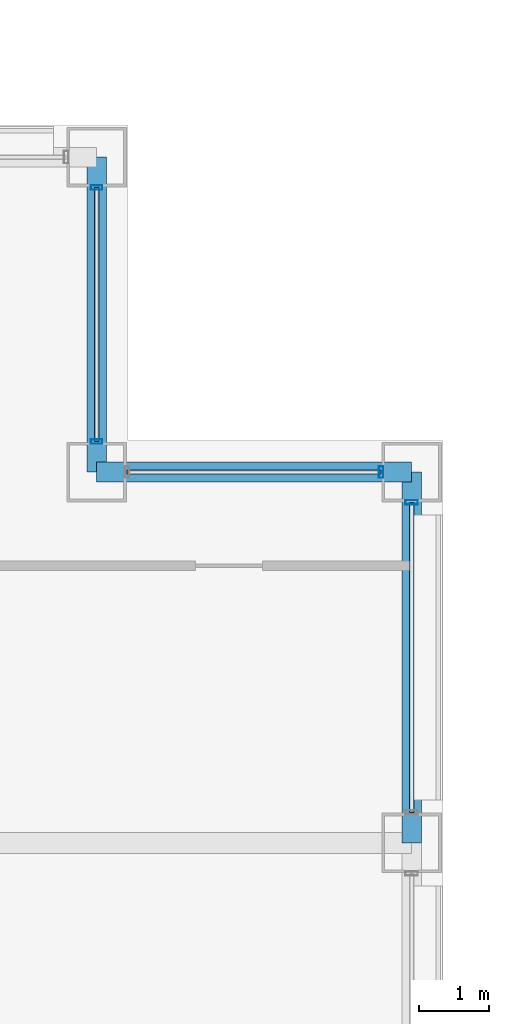
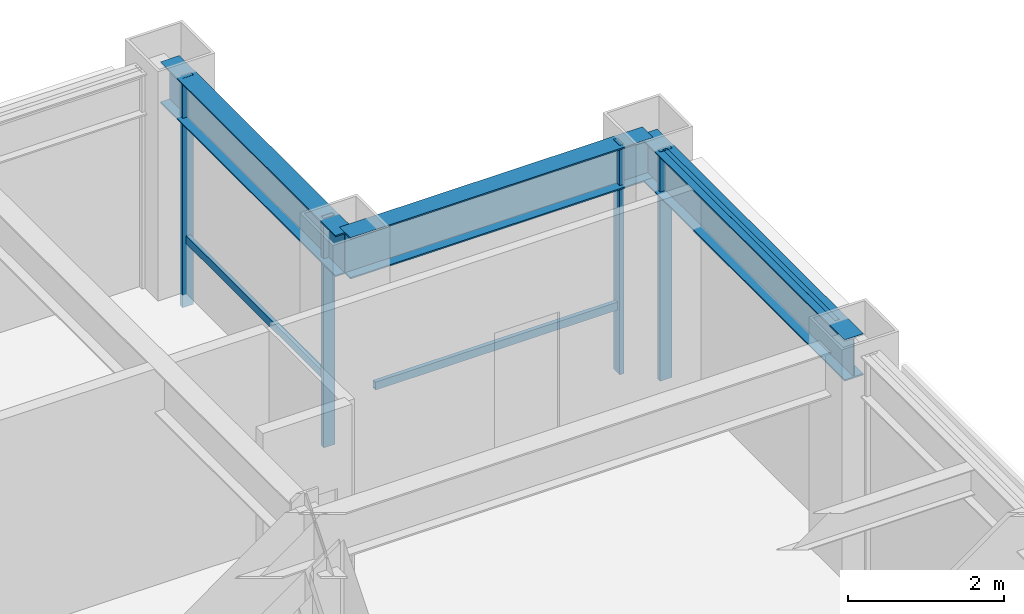
# One storey, part 27 of 34: 7 members, 3 beams, 3 elements without a shape of their own.
"""IFC4 building model written with IfcOpenShell, lengths in metres."""

from ifc_helpers import new_model, si_unit, direction, frame, origin, origin_2d, place, context, subcontext, project, spatial, hollow_rectangle, i_section, extrude, material, layer, layer_set, material_profile, profile_set, type_object, element, aggregate, save


model = new_model("IFC4")

# Units and contexts
model_context = context("Model", 3, precision=1e-05, world=origin(), true_north=direction((0.0, 1.0)))
body_context = subcontext(model_context, "Body", "Model", "MODEL_VIEW")
ifc_project = project(units=[si_unit("LENGTHUNIT", "METRE"), si_unit("AREAUNIT", "SQUARE_METRE"), si_unit("VOLUMEUNIT", "CUBIC_METRE"), si_unit("PLANEANGLEUNIT", "RADIAN"), si_unit("MASSUNIT", "GRAM", prefix="KILO")], contexts=[model_context])

# Site, building, storey
site_placement = place(None, origin())
site = spatial("IfcSite", under=ifc_project, at=site_placement, CompositionType="ELEMENT")
building_placement = place(site_placement, origin())
building = spatial("IfcBuilding", under=site, at=building_placement, Name="Brelmoor Portico Tower", CompositionType="ELEMENT")
storey_placement = place(building_placement, frame((0.0, 0.0, 117.0)))
storey = spatial("IfcBuildingStorey", under=building, at=storey_placement, Name="L30", CompositionType="ELEMENT", Elevation=117.0)

# Beams
ifc_material_1 = material(Name="Steel Q355B", Category="steel")
ifc_material_profile_1 = material_profile(ifc_material_1, i_section(OverallWidth=0.280029296875, OverallDepth=0.64990234375, WebThickness=0.012939453125, FlangeThickness=0.02197265625, at=origin_2d()), Name="HN 650x280x13x22")
ifc_profile_set_1 = profile_set([ifc_material_profile_1], Name="Steel Q355B")
beam_type = type_object("IfcBeamType", Name="BM-SP-650", PredefinedType="SPANDREL", material=ifc_profile_set_1)
for number, where, z_axis, x_axis, name in (
    (1, (18.050048828125, 15.050048828125, 3.074951171875), (1.0, 0.0, 0.0), (0.0, 1.0, 0.0), "L30 Perimeter Spandrel Beam SP-09"),
    (2, (18.050048828125, 15.050048828125, 3.074951171875), (0.0, 1.0, 0.0), (-1.0, 0.0, 0.0), "L30 Perimeter Spandrel Beam SP-21"),
):
    element("IfcBeam", number, at=place(storey_placement, frame(where, z_axis=z_axis, x_axis=x_axis)), inside=storey, type_object=beam_type, Name=name, PredefinedType="SPANDREL", context=body_context, shape_type="SweptSolid", body=[
        extrude(i_section(OverallWidth=0.280029296875, OverallDepth=0.64990234375, WebThickness=0.012939453125, FlangeThickness=0.02197265625, at=origin_2d()), origin(), (0.0, 0.0, 1.0), 4.5),
    ])
beam_placement = place(storey_placement, frame((22.550048828125, 9.75, 3.074951171875), z_axis=(0.0, 1.0, 0.0), x_axis=(-1.0, 0.0, 0.0)))
element("IfcBeam", 3, at=beam_placement, inside=storey, type_object=beam_type, Name="L30 Perimeter Spandrel Beam SP-24", PredefinedType="SPANDREL", context=body_context, shape_type="SweptSolid", body=[
    extrude(i_section(OverallWidth=0.280029296875, OverallDepth=0.64990234375, WebThickness=0.012939453125, FlangeThickness=0.02197265625, at=origin_2d()), origin(), (0.0, 0.0, 1.0), 5.300048828125),
])

# Curtain wall, member
ifc_material_2 = material(Name="Anodised Aluminium Alloy 6063-T6", Category="aluminium")
ifc_layer_1 = layer(ifc_material_2, 0.179931640625)
ifc_layer_set_1 = layer_set([ifc_layer_1], Name="Anodised Aluminium Alloy 6063-T6")
curtain_wall_type_1 = type_object("IfcCurtainWallType", Name="CW-NOTCH-CHAMFER", PredefinedType="NOTDEFINED", material=ifc_layer_set_1)
curtain_wall_1_placement = place(storey_placement, origin())
curtain_wall_1 = element("IfcCurtainWall", 4, at=curtain_wall_1_placement, inside=storey, type_object=curtain_wall_type_1, Name="L30 Curtain Wall CWN-L30-NEH", PredefinedType="NOTDEFINED")
ifc_material_profile_2 = material_profile(ifc_material_2, hollow_rectangle(XDim=0.06494140625, YDim=0.1650390625, WallThickness=0.00390625, at=origin_2d()), Name="ALU MULLION 65x165")
ifc_profile_set_2 = profile_set([ifc_material_profile_2], Name="Anodised Aluminium Alloy 6063-T6")
member_type_1 = type_object("IfcMemberType", Name="MB-CW-MULL-165", PredefinedType="MULLION", material=ifc_profile_set_2)
member_1_placement = place(storey_placement, frame((22.114990234375, 15.050048828125, -0.199951171875), z_axis=(0.0, 0.0, 1.0), x_axis=(1.0, 0.0, 0.0)))
member_1 = element("IfcMember", 5, at=member_1_placement, type_object=member_type_1, Name="CWN-L30-NEH Mullion 01", PredefinedType="MULLION", context=body_context, shape_type="SweptSolid", body=[
    extrude(hollow_rectangle(XDim=0.06494140625, YDim=0.1650390625, WallThickness=0.00390625, at=origin_2d()), origin(), (0.0, 0.0, 1.0), 3.599853515625),
])

# Curtain wall, members
curtain_wall_2_placement = place(storey_placement, origin())
curtain_wall_2 = element("IfcCurtainWall", 6, at=curtain_wall_2_placement, inside=storey, type_object=curtain_wall_type_1, Name="L30 Curtain Wall CWN-L30-NEV", PredefinedType="NOTDEFINED")
member_2_placement = place(storey_placement, frame((18.050048828125, 15.485107421875, -0.199951171875), z_axis=(0.0, 0.0, 1.0), x_axis=(0.0, 1.0, 0.0)))
member_2 = element("IfcMember", 7, at=member_2_placement, type_object=member_type_1, Name="CWN-L30-NEV Mullion 00", PredefinedType="MULLION", context=body_context, shape_type="SweptSolid", body=[
    extrude(hollow_rectangle(XDim=0.06494140625, YDim=0.1650390625, WallThickness=0.00390625, at=origin_2d()), origin(), (0.0, 0.0, 1.0), 3.599853515625),
])
member_3_placement = place(storey_placement, frame((18.050048828125, 19.114990234375, -0.199951171875), z_axis=(0.0, 0.0, 1.0), x_axis=(0.0, 1.0, 0.0)))
member_3 = element("IfcMember", 8, at=member_3_placement, type_object=member_type_1, Name="CWN-L30-NEV Mullion 01", PredefinedType="MULLION", context=body_context, shape_type="SweptSolid", body=[
    extrude(hollow_rectangle(XDim=0.06494140625, YDim=0.1650390625, WallThickness=0.00390625, at=origin_2d()), origin(), (0.0, 0.0, 1.0), 3.599853515625),
])

# Curtain wall, member
ifc_layer_2 = layer(ifc_material_2, 0.179931640625)
ifc_layer_set_2 = layer_set([ifc_layer_2], Name="Anodised Aluminium Alloy 6063-T6")
curtain_wall_type_2 = type_object("IfcCurtainWallType", Name="CW-TOWER-Z2-XB", PredefinedType="NOTDEFINED", material=ifc_layer_set_2)
curtain_wall_3_placement = place(storey_placement, origin())
curtain_wall_3 = element("IfcCurtainWall", 9, at=curtain_wall_3_placement, inside=storey, type_object=curtain_wall_type_2, Name="L30 Curtain Wall CW-L30-04-3", PredefinedType="NOTDEFINED")
ifc_material_profile_3 = material_profile(ifc_material_2, hollow_rectangle(XDim=0.06494140625, YDim=0.179931640625, WallThickness=0.00390625, at=origin_2d()), Name="ALU MULLION 65x180")
ifc_profile_set_3 = profile_set([ifc_material_profile_3], Name="Anodised Aluminium Alloy 6063-T6")
member_type_2 = type_object("IfcMemberType", Name="MB-CW-MULL-180", PredefinedType="MULLION", material=ifc_profile_set_3)
member_4_placement = place(storey_placement, frame((22.550048828125, 14.614990234375, -0.199951171875), z_axis=(0.0, 0.0, 1.0), x_axis=(0.0, 1.0, 0.0)))
member_4 = element("IfcMember", 10, at=member_4_placement, type_object=member_type_2, Name="CW-L30-04-3 Mullion 01", PredefinedType="MULLION", context=body_context, shape_type="SweptSolid", body=[
    extrude(hollow_rectangle(XDim=0.06494140625, YDim=0.179931640625, WallThickness=0.00390625, at=origin_2d()), origin(), (0.0, 0.0, 1.0), 3.599853515625),
])

# Member
ifc_material_profile_4 = material_profile(ifc_material_2, hollow_rectangle(XDim=0.06005859375, YDim=0.125, WallThickness=0.00341796875, at=origin_2d()), Name="ALU TRANSOM 60x125")
ifc_profile_set_4 = profile_set([ifc_material_profile_4], Name="Anodised Aluminium Alloy 6063-T6")
member_type_3 = type_object("IfcMemberType", Name="MB-CW-TRAN-125", PredefinedType="USERDEFINED", material=ifc_profile_set_4)
member_5_placement = place(storey_placement, frame((18.485107421875, 15.050048828125, 0.85009765625), z_axis=(1.0, 0.0, 0.0), x_axis=(0.0, 1.0, 0.0)))
member_5 = element("IfcMember", 11, at=member_5_placement, type_object=member_type_3, Name="CWN-L30-NEH Transom 1-00", ObjectType="TRANSOM", PredefinedType="USERDEFINED", context=body_context, shape_type="SweptSolid", body=[
    extrude(hollow_rectangle(XDim=0.06005859375, YDim=0.125, WallThickness=0.00341796875, at=origin_2d()), origin(), (0.0, 0.0, 1.0), 3.6298828125),
])

aggregate(curtain_wall_1, [member_1, member_5])

member_6_placement = place(storey_placement, frame((18.050048828125, 15.485107421875, 0.85009765625), z_axis=(0.0, 1.0, 0.0), x_axis=(-1.0, 0.0, 0.0)))
member_6 = element("IfcMember", 12, at=member_6_placement, type_object=member_type_3, Name="CWN-L30-NEV Transom 1-00", ObjectType="TRANSOM", PredefinedType="USERDEFINED", context=body_context, shape_type="SweptSolid", body=[
    extrude(hollow_rectangle(XDim=0.06005859375, YDim=0.125, WallThickness=0.00341796875, at=origin_2d()), origin(), (0.0, 0.0, 1.0), 3.6298828125),
])

aggregate(curtain_wall_2, [member_2, member_3, member_6])

ifc_material_profile_5 = material_profile(ifc_material_2, hollow_rectangle(XDim=0.06494140625, YDim=0.139892578125, WallThickness=0.00390625, at=origin_2d()), Name="ALU TRANSOM 65x140")
ifc_profile_set_5 = profile_set([ifc_material_profile_5], Name="Anodised Aluminium Alloy 6063-T6")
member_type_4 = type_object("IfcMemberType", Name="MB-CW-TRAN-140", PredefinedType="USERDEFINED", material=ifc_profile_set_5)
member_7_placement = place(storey_placement, frame((22.550048828125, 10.18505859375, 3.330078125), z_axis=(0.0, 1.0, 0.0), x_axis=(-1.0, 0.0, 0.0)))
member_7 = element("IfcMember", 13, at=member_7_placement, type_object=member_type_4, Name="CW-L30-04-3 Transom 1-00", ObjectType="TRANSOM", PredefinedType="USERDEFINED", context=body_context, shape_type="SweptSolid", body=[
    extrude(hollow_rectangle(XDim=0.06494140625, YDim=0.139892578125, WallThickness=0.00390625, at=origin_2d()), origin(), (0.0, 0.0, 1.0), 4.429931640625),
])

aggregate(curtain_wall_3, [member_4, member_7])

save(model, "model.ifc")
